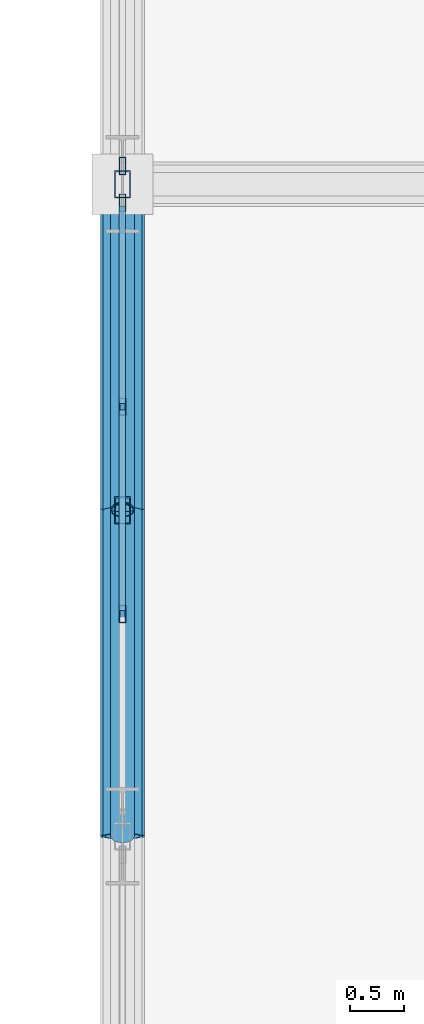
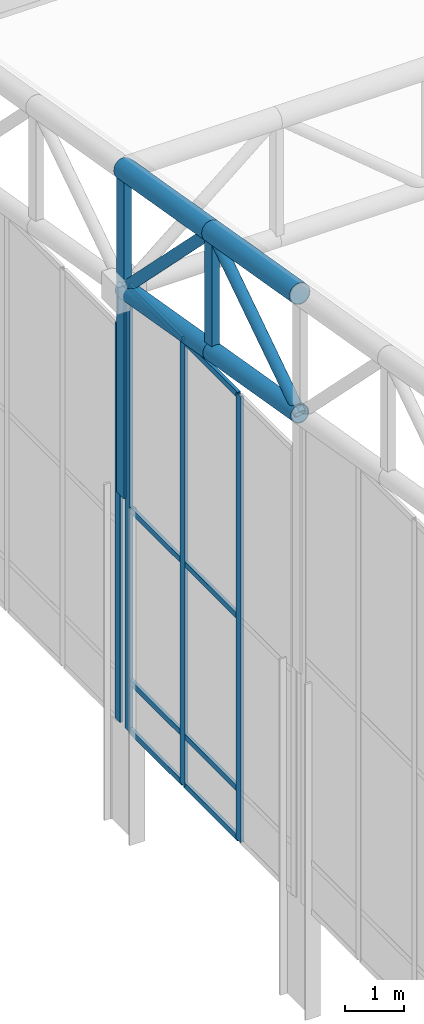
# One storey, part 95 of 239: 20 members, 2 elements without a shape of their own.
"""IFC4 building model written with IfcOpenShell, lengths in metres."""

from ifc_helpers import new_model, si_unit, direction, frame, origin, origin_2d, place, context, subcontext, project, spatial, hollow_rectangle, hollow_circle, extrude, material, material_profile, profile_set, type_object, element, aggregate, save


model = new_model("IFC4")

# Units and contexts
model_context = context("Model", 3, precision=1e-05, world=origin(), true_north=direction((0.0, 1.0)))
body_context = subcontext(model_context, "Body", "Model", "MODEL_VIEW")
ifc_project = project(units=[si_unit("LENGTHUNIT", "METRE"), si_unit("AREAUNIT", "SQUARE_METRE"), si_unit("VOLUMEUNIT", "CUBIC_METRE"), si_unit("PLANEANGLEUNIT", "RADIAN"), si_unit("MASSUNIT", "GRAM", prefix="KILO")], contexts=[model_context])

# Site, building, storey
site_placement = place(None, origin())
site = spatial("IfcSite", under=ifc_project, at=site_placement, CompositionType="ELEMENT")
building_placement = place(site_placement, origin())
building = spatial("IfcBuilding", under=site, at=building_placement, Name="Kaldris Quays Convention Centre", CompositionType="ELEMENT")
storey_placement = place(building_placement, frame((0.0, 0.0, 11.39990234375)))
storey = spatial("IfcBuildingStorey", under=building, at=storey_placement, Name="L02", CompositionType="ELEMENT", Elevation=11.39990234375)

# Curtain wall, members
ifc_material_1 = material(Name="Anodized aluminium AW-6060 and triple glazing", Category="aluminium")
curtain_wall_type = type_object("IfcCurtainWallType", Name="UNITISED CURTAIN WALL CW03", PredefinedType="NOTDEFINED", material=ifc_material_1)
curtain_wall_1_placement = place(storey_placement, origin())
curtain_wall_1 = element("IfcCurtainWall", 1, at=curtain_wall_1_placement, inside=storey, type_object=curtain_wall_type, Name="L02 Unitised Curtain Wall CW03 222", PredefinedType="NOTDEFINED")
ifc_material_2 = material(Name="Anodized aluminium AW-6060", Category="aluminium")
ifc_material_profile_1 = material_profile(ifc_material_2, hollow_rectangle(XDim=0.06005859375, YDim=0.159912109375, WallThickness=0.00390625, at=origin_2d()), Name="RHS 160x60x4")
ifc_profile_set_1 = profile_set([ifc_material_profile_1], Name="Anodized aluminium AW-6060")
member_type_1 = type_object("IfcMemberType", Name="CURTAIN MULLION CWM1", PredefinedType="MULLION", material=ifc_profile_set_1)
member_1_placement = place(storey_placement, frame((20.0, 112.046630859375, 2.195068359375), z_axis=(0.0, 0.0, 1.0), x_axis=(-1.0, 0.0, 0.0)))
member_1 = element("IfcMember", 2, at=member_1_placement, type_object=member_type_1, Name="CW03 mullion 2", PredefinedType="MULLION", context=body_context, shape_type="SweptSolid", body=[
    extrude(hollow_rectangle(XDim=0.06005859375, YDim=0.159912109375, WallThickness=0.00390625, at=origin_2d()), origin(), (0.0, 0.0, 1.0), 9.283935546875),
])
member_2_placement = place(storey_placement, frame((20.0, 113.953369140625, 2.195068359375), z_axis=(0.0, 0.0, 1.0), x_axis=(-1.0, 0.0, 0.0)))
member_2 = element("IfcMember", 3, at=member_2_placement, type_object=member_type_1, Name="CW03 mullion 3", PredefinedType="MULLION", context=body_context, shape_type="SweptSolid", body=[
    extrude(hollow_rectangle(XDim=0.06005859375, YDim=0.159912109375, WallThickness=0.00390625, at=origin_2d()), origin(), (0.0, 0.0, 1.0), 9.283935546875),
])
member_3_placement = place(storey_placement, frame((20.0, 115.830078125, 2.195068359375), z_axis=(0.0, 0.0, 1.0), x_axis=(-1.0, 0.0, 0.0)))
member_3 = element("IfcMember", 4, at=member_3_placement, type_object=member_type_1, Name="CW03 mullion 4", PredefinedType="MULLION", context=body_context, shape_type="SweptSolid", body=[
    extrude(hollow_rectangle(XDim=0.06005859375, YDim=0.159912109375, WallThickness=0.00390625, at=origin_2d()), origin(), (0.0, 0.0, 1.0), 9.283935546875),
])

# Curtain wall, member
curtain_wall_2_placement = place(storey_placement, origin())
curtain_wall_2 = element("IfcCurtainWall", 5, at=curtain_wall_2_placement, inside=storey, type_object=curtain_wall_type, Name="L02 Unitised Curtain Wall CW03 223", PredefinedType="NOTDEFINED")
member_4_placement = place(storey_placement, frame((20.0, 116.169921875, 2.195068359375), z_axis=(0.0, 0.0, 1.0), x_axis=(-1.0, 0.0, 0.0)))
member_4 = element("IfcMember", 6, at=member_4_placement, type_object=member_type_1, Name="CW03 mullion 1", PredefinedType="MULLION", context=body_context, shape_type="SweptSolid", body=[
    extrude(hollow_rectangle(XDim=0.06005859375, YDim=0.159912109375, WallThickness=0.00390625, at=origin_2d()), origin(), (0.0, 0.0, 1.0), 8.255126953125),
])
aggregate(curtain_wall_2, [member_4])

# Member
ifc_material_profile_2 = material_profile(ifc_material_2, hollow_rectangle(XDim=0.06005859375, YDim=0.1201171875, WallThickness=0.00390625, at=origin_2d()), Name="RHS 120x60x4")
ifc_profile_set_2 = profile_set([ifc_material_profile_2], Name="Anodized aluminium AW-6060")
member_type_2 = type_object("IfcMemberType", Name="CURTAIN TRANSOM CWT1", PredefinedType="USERDEFINED", material=ifc_profile_set_2)
member_5_placement = place(storey_placement, frame((20.0, 112.07666015625, 2.22509765625), z_axis=(0.0, 1.0, 0.0), x_axis=(-1.0, 0.0, 0.0)))
member_5 = element("IfcMember", 7, at=member_5_placement, type_object=member_type_2, Name="CW03 transom 2.1", ObjectType="TRANSOM", PredefinedType="USERDEFINED", context=body_context, shape_type="SweptSolid", body=[
    extrude(hollow_rectangle(XDim=0.06005859375, YDim=0.1201171875, WallThickness=0.00390625, at=origin_2d()), origin(), (0.0, 0.0, 1.0), 1.8466796875),
])

member_6_placement = place(storey_placement, frame((20.0, 112.07666015625, 3.2451171875), z_axis=(0.0, 1.0, 0.0), x_axis=(-1.0, 0.0, 0.0)))
member_6 = element("IfcMember", 8, at=member_6_placement, type_object=member_type_2, Name="CW03 transom 2.2", ObjectType="TRANSOM", PredefinedType="USERDEFINED", context=body_context, shape_type="SweptSolid", body=[
    extrude(hollow_rectangle(XDim=0.06005859375, YDim=0.1201171875, WallThickness=0.00390625, at=origin_2d()), origin(), (0.0, 0.0, 1.0), 1.8466796875),
])

member_7_placement = place(storey_placement, frame((20.0, 112.07666015625, 6.837158203125), z_axis=(0.0, 1.0, 0.0), x_axis=(-1.0, 0.0, 0.0)))
member_7 = element("IfcMember", 9, at=member_7_placement, type_object=member_type_2, Name="CW03 transom 2.3", ObjectType="TRANSOM", PredefinedType="USERDEFINED", context=body_context, shape_type="SweptSolid", body=[
    extrude(hollow_rectangle(XDim=0.06005859375, YDim=0.1201171875, WallThickness=0.00390625, at=origin_2d()), origin(), (0.0, 0.0, 1.0), 1.8466796875),
])

member_8_placement = place(storey_placement, frame((20.0, 112.07666015625, 11.44921875), z_axis=(0.0, 1.0, 0.0), x_axis=(-1.0, 0.0, 0.0)))
member_8 = element("IfcMember", 10, at=member_8_placement, type_object=member_type_2, Name="CW03 transom 2.4", ObjectType="TRANSOM", PredefinedType="USERDEFINED", context=body_context, shape_type="SweptSolid", body=[
    extrude(hollow_rectangle(XDim=0.06005859375, YDim=0.1201171875, WallThickness=0.00390625, at=origin_2d()), origin(), (0.0, 0.0, 1.0), 1.8466796875),
])

member_9_placement = place(storey_placement, frame((20.0, 113.9833984375, 2.22509765625), z_axis=(0.0, 1.0, 0.0), x_axis=(-1.0, 0.0, 0.0)))
member_9 = element("IfcMember", 11, at=member_9_placement, type_object=member_type_2, Name="CW03 transom 3.1", ObjectType="TRANSOM", PredefinedType="USERDEFINED", context=body_context, shape_type="SweptSolid", body=[
    extrude(hollow_rectangle(XDim=0.06005859375, YDim=0.1201171875, WallThickness=0.00390625, at=origin_2d()), origin(), (0.0, 0.0, 1.0), 1.816650390625),
])

member_10_placement = place(storey_placement, frame((20.0, 113.9833984375, 3.2451171875), z_axis=(0.0, 1.0, 0.0), x_axis=(-1.0, 0.0, 0.0)))
member_10 = element("IfcMember", 12, at=member_10_placement, type_object=member_type_2, Name="CW03 transom 3.2", ObjectType="TRANSOM", PredefinedType="USERDEFINED", context=body_context, shape_type="SweptSolid", body=[
    extrude(hollow_rectangle(XDim=0.06005859375, YDim=0.1201171875, WallThickness=0.00390625, at=origin_2d()), origin(), (0.0, 0.0, 1.0), 1.816650390625),
])

member_11_placement = place(storey_placement, frame((20.0, 113.9833984375, 6.837158203125), z_axis=(0.0, 1.0, 0.0), x_axis=(-1.0, 0.0, 0.0)))
member_11 = element("IfcMember", 13, at=member_11_placement, type_object=member_type_2, Name="CW03 transom 3.3", ObjectType="TRANSOM", PredefinedType="USERDEFINED", context=body_context, shape_type="SweptSolid", body=[
    extrude(hollow_rectangle(XDim=0.06005859375, YDim=0.1201171875, WallThickness=0.00390625, at=origin_2d()), origin(), (0.0, 0.0, 1.0), 1.816650390625),
])

member_12_placement = place(storey_placement, frame((20.0, 113.9833984375, 11.44921875), z_axis=(0.0, 1.0, 0.0), x_axis=(-1.0, 0.0, 0.0)))
member_12 = element("IfcMember", 14, at=member_12_placement, type_object=member_type_2, Name="CW03 transom 3.4", ObjectType="TRANSOM", PredefinedType="USERDEFINED", context=body_context, shape_type="SweptSolid", body=[
    extrude(hollow_rectangle(XDim=0.06005859375, YDim=0.1201171875, WallThickness=0.00390625, at=origin_2d()), origin(), (0.0, 0.0, 1.0), 1.816650390625),
])

aggregate(curtain_wall_1, [member_1, member_2, member_3, member_5, member_6, member_7, member_8, member_9, member_10, member_11, member_12])

# Members
ifc_material_3 = material(Name="Steel S355J2H", Category="steel")
ifc_material_profile_3 = material_profile(ifc_material_3, hollow_circle(Radius=0.203125, WallThickness=0.01611328125, at=origin_2d()), Name="CHS 406.4x16")
ifc_profile_set_3 = profile_set([ifc_material_profile_3], Name="Steel S355J2H")
member_type_3 = type_object("IfcMemberType", Name="STRUCTURAL MEMBER SC01", PredefinedType="CHORD", material=ifc_profile_set_3)
for number, where, z_axis, x_axis, name in (
    (15, (20.0, 110.0, 14.814697265625), (0.0, 0.98562912375, -0.168923741424), (-1.0, 0.0, 0.0), "SF-V1 Top Chord Y 355"),
    (16, (20.0, 113.0, 14.300537109375), (0.0, 0.985615766076, -0.169001661712), (-1.0, 0.0, 0.0), "SF-V1 Top Chord Y 356"),
):
    element("IfcMember", number, at=place(storey_placement, frame(where, z_axis=z_axis, x_axis=x_axis)), inside=storey, type_object=member_type_3, Name=name, PredefinedType="CHORD", context=body_context, shape_type="SweptSolid", body=[
        extrude(hollow_circle(Radius=0.203125, WallThickness=0.01611328125, at=origin_2d()), origin(), (0.0, 0.0, 1.0), 3.043701171875),
    ])
ifc_material_profile_4 = material_profile(ifc_material_3, hollow_circle(Radius=0.177734375, WallThickness=0.01611328125, at=origin_2d()), Name="CHS 355.6x16")
ifc_profile_set_4 = profile_set([ifc_material_profile_4], Name="Steel S355J2H")
member_type_4 = type_object("IfcMemberType", Name="STRUCTURAL MEMBER SC02", PredefinedType="CHORD", material=ifc_profile_set_4)
for number, where, z_axis, x_axis, name in (
    (17, (20.0, 110.0, 12.314697265625), (0.0, 0.98562912375, -0.168923741424), (-1.0, 0.0, 0.0), "SF-V1 Bottom Chord Y 355"),
    (18, (20.0, 113.0, 11.800537109375), (0.0, 0.985615766076, -0.169001661712), (-1.0, 0.0, 0.0), "SF-V1 Bottom Chord Y 356"),
):
    element("IfcMember", number, at=place(storey_placement, frame(where, z_axis=z_axis, x_axis=x_axis)), inside=storey, type_object=member_type_4, Name=name, PredefinedType="CHORD", context=body_context, shape_type="SweptSolid", body=[
        extrude(hollow_circle(Radius=0.177734375, WallThickness=0.01611328125, at=origin_2d()), origin(), (0.0, 0.0, 1.0), 3.043701171875),
    ])
ifc_material_profile_5 = material_profile(ifc_material_3, hollow_circle(Radius=0.109619140625, WallThickness=0.010009765625, at=origin_2d()), Name="CHS 219.1x10")
ifc_profile_set_5 = profile_set([ifc_material_profile_5], Name="Steel S355J2H")
member_type_5 = type_object("IfcMemberType", Name="STRUCTURAL MEMBER SWB1", PredefinedType="BRACE", material=ifc_profile_set_5)
member_13_placement = place(storey_placement, frame((20.0, 110.0, 12.314697265625), z_axis=(0.0, 0.833862389808, 0.551972385962), x_axis=(-1.0, 0.0, 0.0)))
element("IfcMember", 19, at=member_13_placement, inside=storey, type_object=member_type_5, Name="SF-V1 Web Diagonal Y 355", PredefinedType="BRACE", context=body_context, shape_type="SweptSolid", body=[
    extrude(hollow_circle(Radius=0.109619140625, WallThickness=0.010009765625, at=origin_2d()), origin(), (0.0, 0.0, 1.0), 3.59765625),
])
member_14_placement = place(storey_placement, frame((20.0, 116.0, 11.2861328125), z_axis=(0.0, -0.705411261057, 0.708798245465), x_axis=(1.0, 0.0, 0.0)))
element("IfcMember", 20, at=member_14_placement, inside=storey, type_object=member_type_5, Name="SF-V1 Web Diagonal Y 356", PredefinedType="BRACE", context=body_context, shape_type="SweptSolid", body=[
    extrude(hollow_circle(Radius=0.109619140625, WallThickness=0.010009765625, at=origin_2d()), origin(), (0.0, 0.0, 1.0), 4.2529296875),
])
ifc_material_profile_6 = material_profile(ifc_material_3, hollow_rectangle(XDim=0.14990234375, YDim=0.25, WallThickness=0.010009765625, at=origin_2d()), Name="RHS 250x150x10")
ifc_profile_set_6 = profile_set([ifc_material_profile_6], Name="Steel S355J2H")
member_type_6 = type_object("IfcMemberType", Name="STRUCTURAL MEMBER TTV1", PredefinedType="POST", material=ifc_profile_set_6)
member_15_placement = place(storey_placement, frame((20.0, 113.0, 11.800537109375), z_axis=(0.0, 0.0, 1.0), x_axis=(1.0, 0.0, 0.0)))
element("IfcMember", 21, at=member_15_placement, inside=storey, type_object=member_type_6, Name="SF-V1 Space-Frame Post 20", PredefinedType="POST", context=body_context, shape_type="SweptSolid", body=[
    extrude(hollow_rectangle(XDim=0.14990234375, YDim=0.25, WallThickness=0.010009765625, at=origin_2d()), origin(), (0.0, 0.0, 1.0), 2.5),
])
member_16_placement = place(storey_placement, frame((20.0, 116.0, 6.994140625), z_axis=(0.0, 0.0, 1.0), x_axis=(1.0, 0.0, 0.0)))
element("IfcMember", 22, at=member_16_placement, inside=storey, type_object=member_type_6, Name="SF-V1 Space-Frame Post 21", PredefinedType="POST", context=body_context, shape_type="SweptSolid", body=[
    extrude(hollow_rectangle(XDim=0.14990234375, YDim=0.25, WallThickness=0.010009765625, at=origin_2d()), origin(), (0.0, 0.0, 1.0), 6.7919921875),
])

save(model, "model.ifc")
